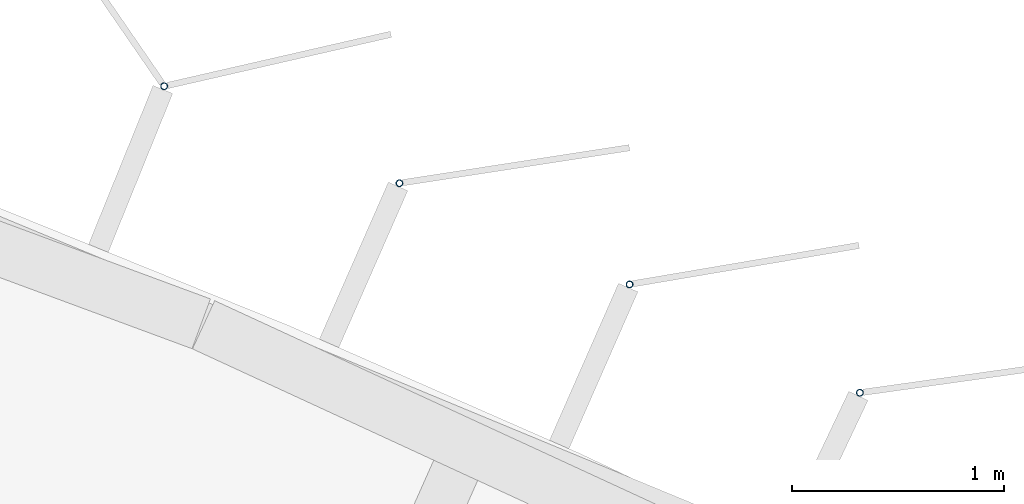
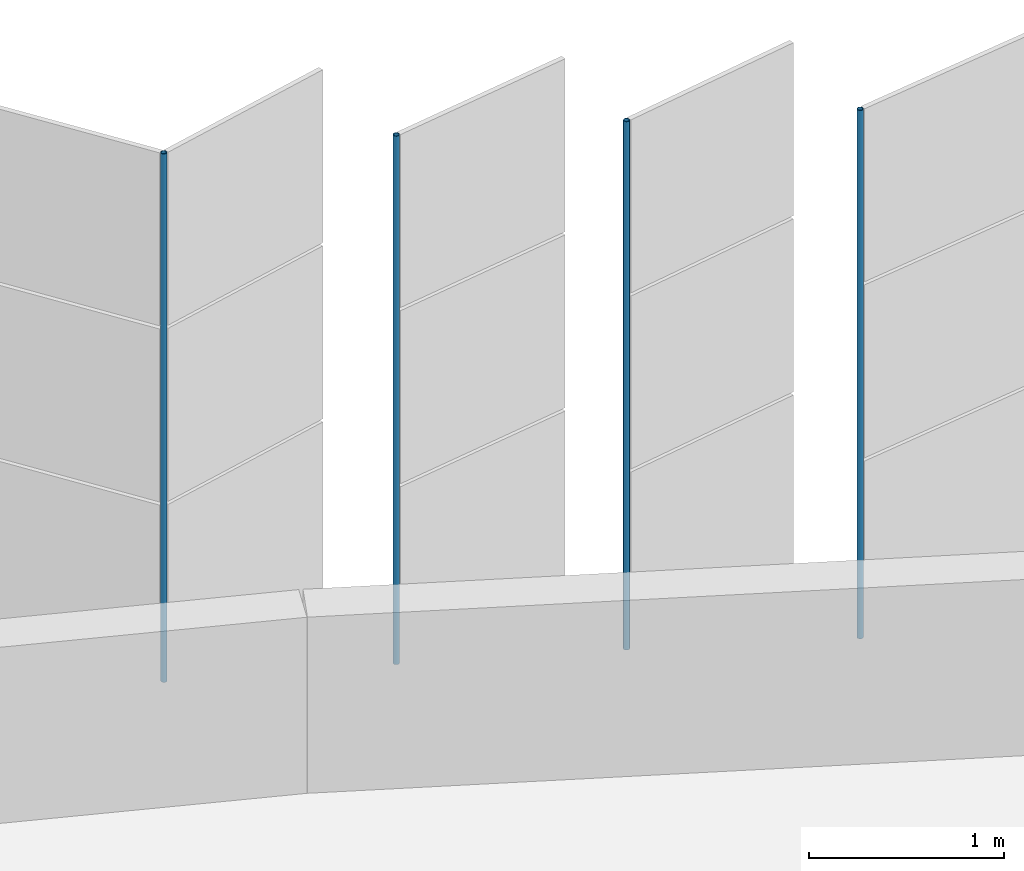
# One storey, part 174 of 214: 4 discrete accessories.
"""IFC4 building model written with IfcOpenShell, lengths in metres."""

from ifc_helpers import new_model, si_unit, direction, frame, origin, origin_2d, place, context, subcontext, project, spatial, hollow_circle, extrude, material, material_profile, profile_set, type_object, element, save


model = new_model("IFC4")

# Units and contexts
model_context = context("Model", 3, precision=1e-05, world=origin(), true_north=direction((0.0, 1.0)))
body_context = subcontext(model_context, "Body", "Model", "MODEL_VIEW")
ifc_project = project(units=[si_unit("LENGTHUNIT", "METRE"), si_unit("AREAUNIT", "SQUARE_METRE"), si_unit("VOLUMEUNIT", "CUBIC_METRE"), si_unit("PLANEANGLEUNIT", "RADIAN"), si_unit("MASSUNIT", "GRAM", prefix="KILO")], contexts=[model_context])

# Site, building, storey
site_placement = place(None, origin())
site = spatial("IfcSite", under=ifc_project, at=site_placement, CompositionType="ELEMENT")
building_placement = place(site_placement, origin())
building = spatial("IfcBuilding", under=site, at=building_placement, Name="Parallax Yard Mobility Hub", CompositionType="ELEMENT")
storey_placement = place(building_placement, frame((0.0, 0.0, 3.300048828125)))
storey = spatial("IfcBuildingStorey", under=building, at=storey_placement, Name="L01", CompositionType="ELEMENT", Elevation=3.300048828125)

# Discrete accessories
ifc_material = material(Name="Steel ASTM A500 Gr C, hot-dip galvanised", Category="steel")
ifc_material_profile = material_profile(ifc_material, hollow_circle(Radius=0.016845703125, WallThickness=0.003173828125, at=origin_2d()), Name="CHS 33.7x3.2")
ifc_profile_set = profile_set([ifc_material_profile], Name="Steel ASTM A500 Gr C, hot-dip galvanised")
discrete_accessory_type = type_object("IfcDiscreteAccessoryType", Name="Hinge post CHS 33.7x3.2", PredefinedType="BRACKET", material=ifc_profile_set)
for number, where, z_axis, x_axis, name in (
    (1, (195.631103515625, 138.040771484375, 0.0), (0.0, 0.0, 1.0), (1.0, 0.0, 0.0), "Hinge post bay 48.2 level L01"),
    (2, (194.5458984375, 138.551513671875, 0.0), (0.0, 0.0, 1.0), (1.0, 0.0, 0.0), "Hinge post bay 48.3 level L01"),
    (3, (193.461181640625, 139.0283203125, 0.0), (0.0, 0.0, 1.0), (1.0, 0.0, 0.0), "Hinge post bay 48.4 level L01"),
    (4, (192.35205078125, 139.4853515625, 0.0), (0.0, 0.0, 1.0), (1.0, 0.0, 0.0), "Hinge post bay 48.5 level L01"),
):
    element("IfcDiscreteAccessory", number, at=place(storey_placement, frame(where, z_axis=z_axis, x_axis=x_axis)), inside=storey, type_object=discrete_accessory_type, Name=name, PredefinedType="BRACKET", context=body_context, shape_type="SweptSolid", body=[
        extrude(hollow_circle(Radius=0.016845703125, WallThickness=0.003173828125, at=origin_2d()), origin(), (0.0, 0.0, 1.0), 3.300048828125),
    ])

save(model, "model.ifc")
